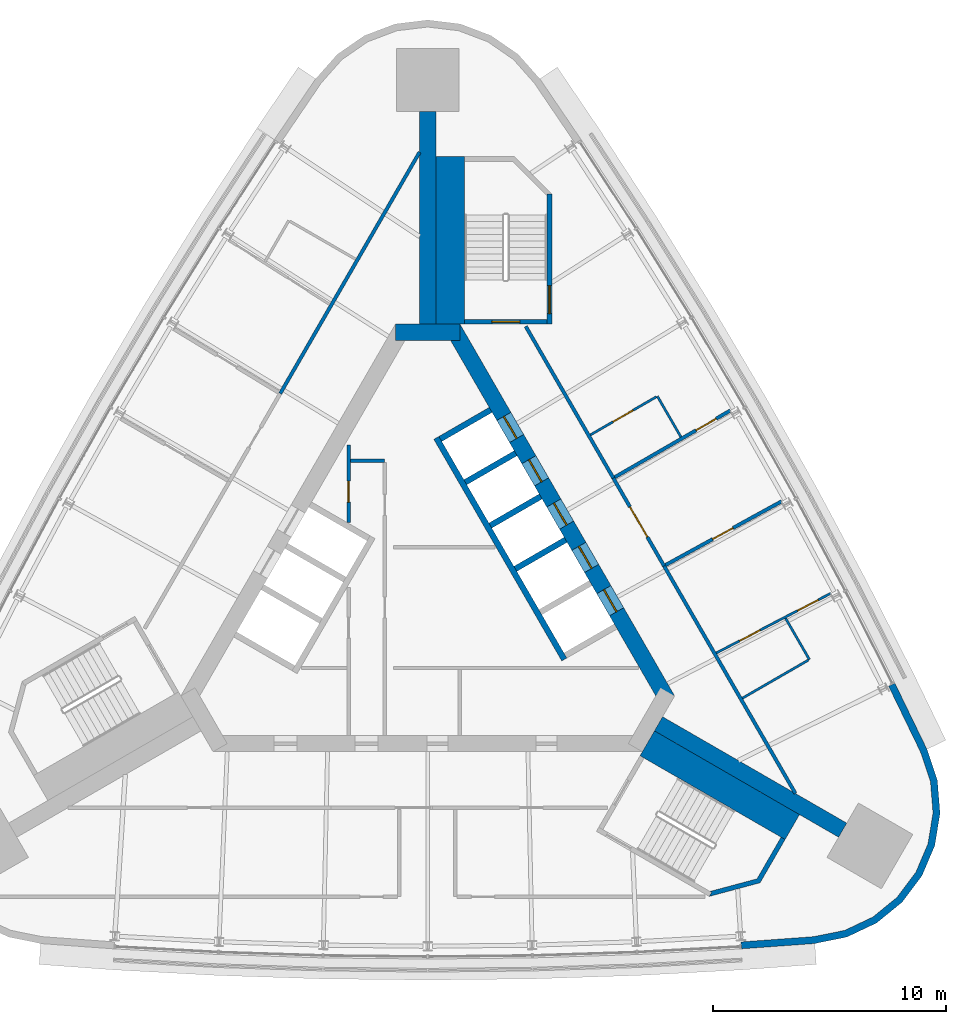
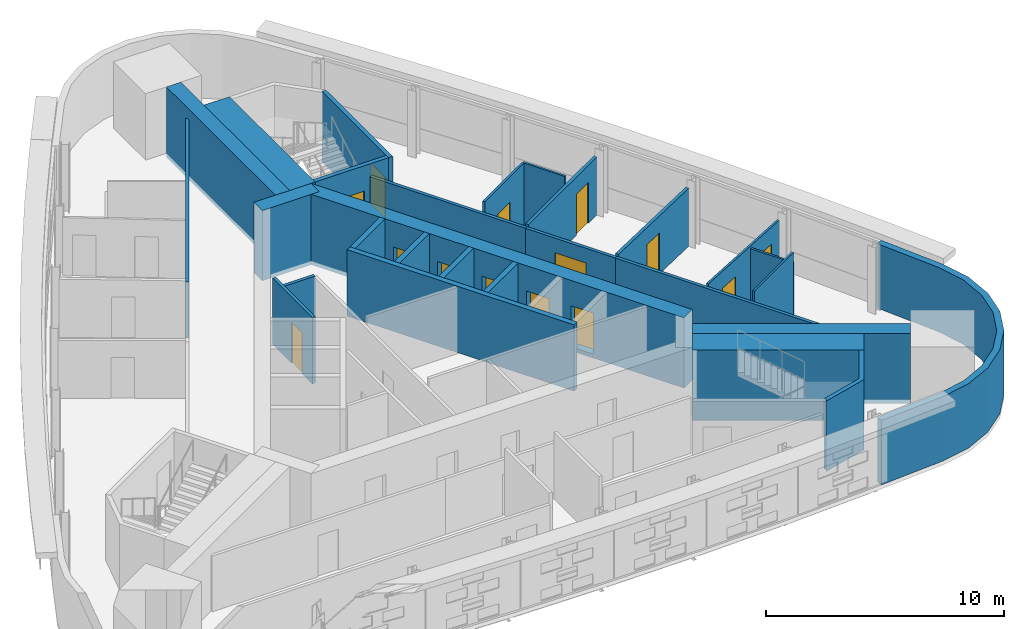
# One storey, part 8 of 10: 28 walls, 14 doors, 14 openings.
"""IFC4 building model written with IfcOpenShell, lengths in metres."""

from ifc_helpers import new_model, si_unit, direction, frame, frame_2d, origin, place, context, subcontext, project, spatial, polyline, rectangle, outline, extrude, material, layer, layer_set, type_object, element, fill, save


model = new_model("IFC4")

# Units and contexts
model_context = context("Model", 3, precision=1e-05, world=origin(), true_north=direction((0.0, 1.0)))
body_context = subcontext(model_context, "Body", "Model", "MODEL_VIEW")
ifc_project = project(units=[si_unit("LENGTHUNIT", "METRE"), si_unit("AREAUNIT", "SQUARE_METRE"), si_unit("VOLUMEUNIT", "CUBIC_METRE"), si_unit("PLANEANGLEUNIT", "RADIAN"), si_unit("MASSUNIT", "GRAM", prefix="KILO")], contexts=[model_context])

# Site, building, storey
site_placement = place(None, origin())
site = spatial("IfcSite", under=ifc_project, at=site_placement, CompositionType="ELEMENT")
building_placement = place(site_placement, origin())
building = spatial("IfcBuilding", under=site, at=building_placement, Name="Noor Cloister Tower", CompositionType="ELEMENT")
storey_placement = place(building_placement, frame((0.0, 0.0, 199.5)))
storey = spatial("IfcBuildingStorey", under=building, at=storey_placement, Name="L51", CompositionType="ELEMENT", Elevation=199.5)

# Walls
ifc_material_1 = material(Name="Concrete C70/85", Category="concrete")
ifc_layer_1 = layer(ifc_material_1, 0.699951171875)
ifc_layer_set_1 = layer_set([ifc_layer_1], Name="Buttress wall 700 C70/85")
wall_type_1 = type_object("IfcWallType", Name="Buttress wall 700 C70/85", PredefinedType="SHEAR", material=ifc_layer_set_1)
wall_1_placement = place(storey_placement, frame((0.0, 11.456298828125, -0.199951171875), z_axis=(0.0, 0.0, 1.0), x_axis=(0.0, 1.0, 0.0)))
element("IfcWall", 1, at=wall_1_placement, inside=storey, type_object=wall_type_1, Name="Buttress wall N L51", PredefinedType="SHEAR", context=body_context, shape_type="SweptSolid", body=[
    extrude(rectangle(XDim=9.144775390625, YDim=0.699951171875, at=frame_2d((4.572265625, 0.0))), origin(), (0.0, 0.0, 1.0), 3.599853515625),
])
wall_2_placement = place(storey_placement, frame((9.921630859375, -5.728271484375, -0.199951171875), z_axis=(0.0, 0.0, 1.0), x_axis=(0.866026421479, -0.499998237297, 0.0)))
element("IfcWall", 2, at=wall_2_placement, inside=storey, type_object=wall_type_1, Name="Buttress wall SE L51", PredefinedType="SHEAR", context=body_context, shape_type="SweptSolid", body=[
    extrude(rectangle(XDim=9.14453125, YDim=0.699951171875, at=frame_2d((4.572265625, 0.0))), origin(), (0.0, 0.0, 1.0), 3.599853515625),
])

# Wall, opening, door
ifc_material_2 = material(Name="Concrete C30/37", Category="concrete")
ifc_layer_2 = layer(ifc_material_2, 0.14990234375)
ifc_layer_set_2 = layer_set([ifc_layer_2], Name="Core partition 150 C30/37")
wall_type_2 = type_object("IfcWallType", Name="Core partition 150 C30/37", PredefinedType="PARTITIONING", material=ifc_layer_set_2)
wall_3_placement = place(storey_placement, frame((-3.40380859375, 6.260986328125, 0.0), z_axis=(0.0, 0.0, 1.0), x_axis=(0.0, -1.0, 0.0)))
wall_3 = element("IfcWall", 3, at=wall_3_placement, inside=storey, type_object=wall_type_2, Name="Core room partition L51 3", PredefinedType="PARTITIONING", context=body_context, shape_type="SweptSolid", body=[
    extrude(rectangle(XDim=3.3271484375, YDim=0.14990234375, at=frame_2d((1.66357421875, 0.0))), origin(), (0.0, 0.0, 1.0), 3.39990234375),
])
opening_1_placement = place(wall_3_placement, frame((1.55712890625, 0.0, 0.0)))
opening_1 = element("IfcOpeningElement", 4, at=opening_1_placement, cuts=wall_3, Name="Opening L51-907", PredefinedType="OPENING", context=body_context, shape_type="SweptSolid", body=[
    extrude(rectangle(XDim=0.89990234375, YDim=2.10009765625, at=frame_2d((0.449951171875, 1.050048828125))), frame((0.0, 0.0849609375, 0.0), z_axis=(0.0, -1.0, 0.0), x_axis=(1.0, 0.0, 0.0)), (0.0, 0.0, 1.0), 0.169921875),
])
ifc_material_3 = material(Name="Steel", Category="steel")
door_type_1 = type_object("IfcDoorType", Name="Core door 900 x 2100 FD120", OperationType="SINGLE_SWING_LEFT", PredefinedType="DOOR", material=ifc_material_3)
door_1_placement = place(opening_1_placement, origin())
door_1 = element("IfcDoor", 5, at=door_1_placement, inside=storey, type_object=door_type_1, Name="Core door 7 L51", OperationType="SINGLE_SWING_LEFT", OverallHeight=2.10009765625, OverallWidth=0.89990234375, PredefinedType="DOOR", context=body_context, shape_type="SweptSolid", body=[
    extrude(rectangle(XDim=0.89990234375, YDim=2.10009765625, at=frame_2d((0.449951171875, 1.050048828125))), frame((0.0, 0.02490234375, 0.0), z_axis=(0.0, -1.0, 0.0), x_axis=(1.0, 0.0, 0.0)), (0.0, 0.0, 1.0), 0.050048828125),
])
fill(opening_1, door_1)

# Wall
wall_4_placement = place(storey_placement, frame((-3.32861328125, 5.57177734375, 0.0), z_axis=(0.0, 0.0, 1.0), x_axis=(1.0, 0.0, 0.0)))
element("IfcWall", 6, at=wall_4_placement, inside=storey, type_object=wall_type_2, Name="Core room partition L51 4", PredefinedType="PARTITIONING", context=body_context, shape_type="SweptSolid", body=[
    extrude(rectangle(XDim=1.474853515625, YDim=0.14990234375, at=frame_2d((0.7373046875, 0.0))), origin(), (0.0, 0.0, 1.0), 3.39990234375),
])

# Wall, openings, doors
ifc_material_4 = material(Name="Concrete C70/85", Category="concrete")
ifc_layer_3 = layer(ifc_material_4, 0.699951171875)
ifc_layer_set_3 = layer_set([ifc_layer_3], Name="Core wall 700 C70/85")
wall_type_3 = type_object("IfcWallType", Name="Core wall 700 C70/85", PredefinedType="SHEAR", material=ifc_layer_set_3)
wall_5_placement = place(storey_placement, frame((10.311279296875, -4.703125, -0.199951171875), z_axis=(0.0, 0.0, 1.0), x_axis=(-0.500001446645, 0.866024568562, 0.0)))
wall_5 = element("IfcWall", 7, at=wall_5_placement, inside=storey, type_object=wall_type_3, Name="Core wall L51 3", PredefinedType="SHEAR", context=body_context, shape_type="SweptSolid", body=[
    extrude(rectangle(XDim=18.45751953125, YDim=0.699951171875, at=frame_2d((9.228759765625, 0.0))), origin(), (0.0, 0.0, 1.0), 3.599853515625),
])
opening_2_placement = place(wall_5_placement, frame((4.378662109375, 0.0, 0.199951171875)))
opening_2 = element("IfcOpeningElement", 8, at=opening_2_placement, cuts=wall_5, Name="Opening L51-HR1", PredefinedType="OPENING", context=body_context, shape_type="SweptSolid", body=[
    extrude(rectangle(XDim=1.10009765625, YDim=2.10009765625, at=frame_2d((0.550048828125, 1.050048828125))), frame((0.0, 0.35986328125, 0.0), z_axis=(0.0, -1.0, 0.0), x_axis=(1.0, 0.0, 0.0)), (0.0, 0.0, 1.0), 0.719970703125),
])
opening_3_placement = place(wall_5_placement, frame((6.52880859375, 0.0, 0.199951171875)))
opening_3 = element("IfcOpeningElement", 9, at=opening_3_placement, cuts=wall_5, Name="Opening L51-HR2", PredefinedType="OPENING", context=body_context, shape_type="SweptSolid", body=[
    extrude(rectangle(XDim=1.10009765625, YDim=2.10009765625, at=frame_2d((0.550048828125, 1.050048828125))), frame((0.0, 0.35986328125, 0.0), z_axis=(0.0, -1.0, 0.0), x_axis=(1.0, 0.0, 0.0)), (0.0, 0.0, 1.0), 0.719970703125),
])
opening_4_placement = place(wall_5_placement, frame((8.6787109375, 0.0, 0.199951171875)))
opening_4 = element("IfcOpeningElement", 10, at=opening_4_placement, cuts=wall_5, Name="Opening L51-HR3", PredefinedType="OPENING", context=body_context, shape_type="SweptSolid", body=[
    extrude(rectangle(XDim=1.10009765625, YDim=2.10009765625, at=frame_2d((0.550048828125, 1.050048828125))), frame((0.0, 0.35986328125, 0.0), z_axis=(0.0, -1.0, 0.0), x_axis=(1.0, 0.0, 0.0)), (0.0, 0.0, 1.0), 0.719970703125),
])
opening_5_placement = place(wall_5_placement, frame((10.82861328125, 0.0, 0.199951171875)))
opening_5 = element("IfcOpeningElement", 11, at=opening_5_placement, cuts=wall_5, Name="Opening L51-HR4", PredefinedType="OPENING", context=body_context, shape_type="SweptSolid", body=[
    extrude(rectangle(XDim=1.10009765625, YDim=2.10009765625, at=frame_2d((0.550048828125, 1.050048828125))), frame((0.0, 0.35986328125, 0.0), z_axis=(0.0, -1.0, 0.0), x_axis=(1.0, 0.0, 0.0)), (0.0, 0.0, 1.0), 0.719970703125),
])
opening_6_placement = place(wall_5_placement, frame((12.978759765625, 0.0, 0.199951171875)))
opening_6 = element("IfcOpeningElement", 12, at=opening_6_placement, cuts=wall_5, Name="Opening L51-HR5", PredefinedType="OPENING", context=body_context, shape_type="SweptSolid", body=[
    extrude(rectangle(XDim=1.10009765625, YDim=2.10009765625, at=frame_2d((0.550048828125, 1.050048828125))), frame((0.0, 0.35986328125, 0.0), z_axis=(0.0, -1.0, 0.0), x_axis=(1.0, 0.0, 0.0)), (0.0, 0.0, 1.0), 0.719970703125),
])
ifc_material_5 = material(Name="Stainless steel", Category="steel")
door_type_2 = type_object("IfcDoorType", Name="Lift landing door 1100 x 2100", OperationType="DOUBLE_DOOR_SLIDING", PredefinedType="DOOR", material=ifc_material_5)
door_2_placement = place(opening_2_placement, origin())
door_2 = element("IfcDoor", 13, at=door_2_placement, inside=storey, type_object=door_type_2, Name="Landing door HR1 L51", OperationType="DOUBLE_DOOR_SLIDING", OverallHeight=2.10009765625, OverallWidth=1.10009765625, PredefinedType="DOOR", context=body_context, shape_type="SweptSolid", body=[
    extrude(rectangle(XDim=1.10009765625, YDim=2.10009765625, at=frame_2d((0.550048828125, 1.050048828125))), frame((0.0, 0.02490234375, 0.0), z_axis=(0.0, -1.0, 0.0), x_axis=(1.0, 0.0, 0.0)), (0.0, 0.0, 1.0), 0.050048828125),
])
fill(opening_2, door_2)
door_3_placement = place(opening_3_placement, origin())
door_3 = element("IfcDoor", 14, at=door_3_placement, inside=storey, type_object=door_type_2, Name="Landing door HR2 L51", OperationType="DOUBLE_DOOR_SLIDING", OverallHeight=2.10009765625, OverallWidth=1.10009765625, PredefinedType="DOOR", context=body_context, shape_type="SweptSolid", body=[
    extrude(rectangle(XDim=1.10009765625, YDim=2.10009765625, at=frame_2d((0.550048828125, 1.050048828125))), frame((0.0, 0.02490234375, 0.0), z_axis=(0.0, -1.0, 0.0), x_axis=(1.0, 0.0, 0.0)), (0.0, 0.0, 1.0), 0.050048828125),
])
fill(opening_3, door_3)
door_4_placement = place(opening_4_placement, origin())
door_4 = element("IfcDoor", 15, at=door_4_placement, inside=storey, type_object=door_type_2, Name="Landing door HR3 L51", OperationType="DOUBLE_DOOR_SLIDING", OverallHeight=2.10009765625, OverallWidth=1.10009765625, PredefinedType="DOOR", context=body_context, shape_type="SweptSolid", body=[
    extrude(rectangle(XDim=1.10009765625, YDim=2.10009765625, at=frame_2d((0.550048828125, 1.050048828125))), frame((0.0, 0.02490234375, 0.0), z_axis=(0.0, -1.0, 0.0), x_axis=(1.0, 0.0, 0.0)), (0.0, 0.0, 1.0), 0.050048828125),
])
fill(opening_4, door_4)
door_5_placement = place(opening_5_placement, origin())
door_5 = element("IfcDoor", 16, at=door_5_placement, inside=storey, type_object=door_type_2, Name="Landing door HR4 L51", OperationType="DOUBLE_DOOR_SLIDING", OverallHeight=2.10009765625, OverallWidth=1.10009765625, PredefinedType="DOOR", context=body_context, shape_type="SweptSolid", body=[
    extrude(rectangle(XDim=1.10009765625, YDim=2.10009765625, at=frame_2d((0.550048828125, 1.050048828125))), frame((0.0, 0.02490234375, 0.0), z_axis=(0.0, -1.0, 0.0), x_axis=(1.0, 0.0, 0.0)), (0.0, 0.0, 1.0), 0.050048828125),
])
fill(opening_5, door_5)
door_6_placement = place(opening_6_placement, origin())
door_6 = element("IfcDoor", 17, at=door_6_placement, inside=storey, type_object=door_type_2, Name="Landing door HR5 L51", OperationType="DOUBLE_DOOR_SLIDING", OverallHeight=2.10009765625, OverallWidth=1.10009765625, PredefinedType="DOOR", context=body_context, shape_type="SweptSolid", body=[
    extrude(rectangle(XDim=1.10009765625, YDim=2.10009765625, at=frame_2d((0.550048828125, 1.050048828125))), frame((0.0, 0.02490234375, 0.0), z_axis=(0.0, -1.0, 0.0), x_axis=(1.0, 0.0, 0.0)), (0.0, 0.0, 1.0), 0.050048828125),
])
fill(opening_6, door_6)

# Walls
wall_6_placement = place(storey_placement, frame((1.3857421875, 11.1064453125, -0.199951171875), z_axis=(0.0, 0.0, 1.0), x_axis=(-1.0, 0.0, 0.0)))
element("IfcWall", 18, at=wall_6_placement, inside=storey, type_object=wall_type_3, Name="Core wall L51 4", PredefinedType="SHEAR", context=body_context, shape_type="SweptSolid", body=[
    extrude(rectangle(XDim=2.771484375, YDim=0.699951171875, at=frame_2d((1.3857421875, 0.0))), origin(), (0.0, 0.0, 1.0), 3.599853515625),
])
ifc_material_6 = material(Name="Fire-rated gypsum board partition on steel studs, 150 mm", Category="steel")
ifc_layer_4 = layer(ifc_material_6, 0.14990234375)
ifc_layer_set_4 = layer_set([ifc_layer_4], Name="Fire lobby wall 150")
wall_type_4 = type_object("IfcWallType", Name="Fire lobby wall 150", PredefinedType="PARTITIONING", material=ifc_layer_set_4)
wall_7_placement = place(storey_placement, frame((-0.35009765625, 18.85009765625, 0.0), z_axis=(0.0, 0.0, 1.0), x_axis=(-0.500000553364, -0.866025084299, 0.0)))
element("IfcWall", 19, at=wall_7_placement, inside=storey, type_object=wall_type_4, Name="Wall L51-W18", PredefinedType="PARTITIONING", context=body_context, shape_type="SweptSolid", body=[
    extrude(rectangle(XDim=11.9814453125, YDim=0.14990234375, at=frame_2d((5.99072265625, 0.0))), origin(), (0.0, 0.0, 1.0), 2.85205078125),
])
ifc_material_7 = material(Name="Gypsum board partition on steel studs, 150 mm", Category="steel")
ifc_layer_5 = layer(ifc_material_7, 0.14990234375)
ifc_layer_set_5 = layer_set([ifc_layer_5], Name="Flat wall 150")
wall_type_5 = type_object("IfcWallType", Name="Flat wall 150", PredefinedType="PARTITIONING", material=ifc_layer_set_5)
wall_8_placement = place(storey_placement, frame((15.806884765625, -8.721923828125, 0.0), z_axis=(0.0, 0.0, 1.0), x_axis=(-0.500004300164, 0.866022921069, 0.0)))
element("IfcWall", 20, at=wall_8_placement, inside=storey, type_object=wall_type_5, Name="Wall L51-W01", PredefinedType="PARTITIONING", context=body_context, shape_type="SweptSolid", body=[
    extrude(rectangle(XDim=11.29736328125, YDim=0.14990234375, at=frame_2d((5.648681640625, 0.0))), origin(), (0.0, 0.0, 1.0), 2.85205078125),
])
wall_9_placement = place(storey_placement, frame((7.978515625, 4.83740234375, 0.0), z_axis=(0.0, 0.0, 1.0), x_axis=(-0.500014427086, 0.866017074142, 0.0)))
element("IfcWall", 21, at=wall_9_placement, inside=storey, type_object=wall_type_5, Name="Wall L51-W02", PredefinedType="PARTITIONING", context=body_context, shape_type="SweptSolid", body=[
    extrude(rectangle(XDim=7.527587890625, YDim=0.14990234375, at=frame_2d((3.763671875, 0.0))), origin(), (0.0, 0.0, 1.0), 2.85205078125),
])

# Wall, opening, door
wall_10_placement = place(storey_placement, frame((15.215576171875, 3.83740234375, 0.0), z_axis=(0.0, 0.0, 1.0), x_axis=(-0.876645576733, -0.48113670905, 0.0)))
wall_10 = element("IfcWall", 22, at=wall_10_placement, inside=storey, type_object=wall_type_5, Name="Wall L51-W03", PredefinedType="PARTITIONING", context=body_context, shape_type="SweptSolid", body=[
    extrude(rectangle(XDim=5.69384765625, YDim=0.14990234375, at=frame_2d((2.846923828125, 0.0))), origin(), (0.0, 0.0, 1.0), 2.97412109375),
])
opening_7_placement = place(wall_10_placement, frame((2.384521484375, 0.0, 0.0)))
opening_7 = element("IfcOpeningElement", 23, at=opening_7_placement, cuts=wall_10, Name="Opening L51-004", PredefinedType="OPENING", context=body_context, shape_type="SweptSolid", body=[
    extrude(rectangle(XDim=1.0, YDim=2.10009765625, at=frame_2d((0.5, 1.050048828125))), frame((0.0, 0.0849609375, 0.0), z_axis=(0.0, -1.0, 0.0), x_axis=(1.0, 0.0, 0.0)), (0.0, 0.0, 1.0), 0.169921875),
])
ifc_material_8 = material(Name="Timber door leaf with steel frame", Category="steel")
door_type_3 = type_object("IfcDoorType", Name="Flat entrance door 1000", OperationType="NOTDEFINED", PredefinedType="DOOR", material=ifc_material_8)
door_7_placement = place(opening_7_placement, origin())
door_7 = element("IfcDoor", 24, at=door_7_placement, inside=storey, type_object=door_type_3, Name="Door L51-004", OperationType="SINGLE_SWING_RIGHT", OverallHeight=2.10009765625, OverallWidth=1.0, PredefinedType="DOOR", context=body_context, shape_type="SweptSolid", body=[
    extrude(rectangle(XDim=1.0, YDim=2.10009765625, at=frame_2d((0.5, 1.050048828125))), frame((0.0, 0.02490234375, 0.0), z_axis=(0.0, -1.0, 0.0), x_axis=(1.0, 0.0, 0.0)), (0.0, 0.0, 1.0), 0.050048828125),
])
fill(opening_7, door_7)

wall_11_placement = place(storey_placement, frame((13.01171875, 7.7431640625, 0.0), z_axis=(0.0, 0.0, 1.0), x_axis=(-0.866026840724, -0.499997511139, 0.0)))
wall_11 = element("IfcWall", 25, at=wall_11_placement, inside=storey, type_object=wall_type_5, Name="Wall L51-W04", PredefinedType="PARTITIONING", context=body_context, shape_type="SweptSolid", body=[
    extrude(rectangle(XDim=5.73681640625, YDim=0.14990234375, at=frame_2d((2.868408203125, 0.0))), origin(), (0.0, 0.0, 1.0), 2.97412109375),
])
opening_8_placement = place(wall_11_placement, frame((0.705810546875, 0.0, 0.0)))
opening_8 = element("IfcOpeningElement", 26, at=opening_8_placement, cuts=wall_11, Name="Opening L51-006", PredefinedType="OPENING", context=body_context, shape_type="SweptSolid", body=[
    extrude(rectangle(XDim=1.0, YDim=2.10009765625, at=frame_2d((0.5, 1.050048828125))), frame((0.0, 0.0849609375, 0.0), z_axis=(0.0, -1.0, 0.0), x_axis=(1.0, 0.0, 0.0)), (0.0, 0.0, 1.0), 0.169921875),
])
door_8_placement = place(opening_8_placement, origin())
door_8 = element("IfcDoor", 27, at=door_8_placement, inside=storey, type_object=door_type_3, Name="Door L51-006", OperationType="SINGLE_SWING_RIGHT", OverallHeight=2.10009765625, OverallWidth=1.0, PredefinedType="DOOR", context=body_context, shape_type="SweptSolid", body=[
    extrude(rectangle(XDim=1.0, YDim=2.10009765625, at=frame_2d((0.5, 1.050048828125))), frame((0.0, 0.02490234375, 0.0), z_axis=(0.0, -1.0, 0.0), x_axis=(1.0, 0.0, 0.0)), (0.0, 0.0, 1.0), 0.050048828125),
])
fill(opening_8, door_8)

wall_12_placement = place(storey_placement, frame((10.158203125, 1.061767578125, 0.0), z_axis=(0.0, 0.0, 1.0), x_axis=(-0.499969679245, 0.866042908773, 0.0)))
wall_12 = element("IfcWall", 28, at=wall_12_placement, inside=storey, type_object=wall_type_5, Name="Wall L51-W05", PredefinedType="PARTITIONING", context=body_context, shape_type="SweptSolid", body=[
    extrude(rectangle(XDim=4.359619140625, YDim=0.14990234375, at=frame_2d((2.1796875, 0.0))), origin(), (0.0, 0.0, 1.0), 2.85205078125),
])
opening_9_placement = place(wall_12_placement, frame((1.429931640625, 0.0, 0.0)))
opening_9 = element("IfcOpeningElement", 29, at=opening_9_placement, cuts=wall_12, Name="Opening L51-001", PredefinedType="OPENING", context=body_context, shape_type="SweptSolid", body=[
    extrude(rectangle(XDim=1.5, YDim=2.10009765625, at=frame_2d((0.75, 1.050048828125))), frame((0.0, 0.0849609375, 0.0), z_axis=(0.0, -1.0, 0.0), x_axis=(1.0, 0.0, 0.0)), (0.0, 0.0, 1.0), 0.169921875),
])
ifc_material_9 = material(Name="Timber door leaf with steel frame", Category="steel")
door_type_4 = type_object("IfcDoorType", Name="Double door 1500 FD60", OperationType="NOTDEFINED", PredefinedType="DOOR", material=ifc_material_9)
door_9_placement = place(opening_9_placement, origin())
door_9 = element("IfcDoor", 30, at=door_9_placement, inside=storey, type_object=door_type_4, Name="Door L51-001", OperationType="DOUBLE_DOOR_SINGLE_SWING", OverallHeight=2.10009765625, OverallWidth=1.5, PredefinedType="DOOR", context=body_context, shape_type="SweptSolid", body=[
    extrude(rectangle(XDim=1.5, YDim=2.10009765625, at=frame_2d((0.75, 1.050048828125))), frame((0.0, 0.02490234375, 0.0), z_axis=(0.0, -1.0, 0.0), x_axis=(1.0, 0.0, 0.0)), (0.0, 0.0, 1.0), 0.050048828125),
])
fill(opening_9, door_9)

# Wall
ifc_material_10 = material(Name="Limestone", Category="masonry")
ifc_layer_6 = layer(ifc_material_10, 0.300048828125)
ifc_layer_set_6 = layer_set([ifc_layer_6], Name="Limestone cladding 300")
wall_type_6 = type_object("IfcWallType", Name="Limestone cladding 300", PredefinedType="NOTDEFINED", material=ifc_layer_set_6)
wall_13_placement = place(storey_placement, origin())
element("IfcWall", 31, at=wall_13_placement, inside=storey, type_object=wall_type_6, Name="Limestone pier cladding L51 2.1", PredefinedType="NOTDEFINED", context=body_context, shape_type="SweptSolid", body=[
    extrude(outline(polyline([(13.490478515625, -15.404052734375), (16.640869140625, -15.17529296875), (18.025146484375, -14.893310546875), (19.301513671875, -14.2880859375), (20.39599609375, -13.394775390625), (21.24462890625, -12.265625), (21.798095703125, -10.966064453125), (22.024658203125, -9.571533203125), (21.910400390625, -8.16357421875), (21.462646484375, -6.823974609375), (20.085693359375, -3.98095703125), (19.815673828125, -4.11181640625), (21.184326171875, -6.937255859375), (21.614501953125, -8.22412109375), (21.72265625, -9.5595703125), (21.5078125, -10.8818359375), (20.98291015625, -12.114501953125), (20.177978515625, -13.185546875), (19.14013671875, -14.032470703125), (17.929443359375, -14.6064453125), (16.60009765625, -14.87744140625), (13.46875, -15.10498046875), (13.490478515625, -15.404052734375)])), origin(), (0.0, 0.0, 1.0), 3.300048828125),
])

# Wall, openings, doors
ifc_material_11 = material(Name="Gypsum board partition on steel studs, 100 mm", Category="steel")
ifc_layer_7 = layer(ifc_material_11, 0.10009765625)
ifc_layer_set_7 = layer_set([ifc_layer_7], Name="Partition 100")
wall_type_7 = type_object("IfcWallType", Name="Partition 100", PredefinedType="PARTITIONING", material=ifc_layer_set_7)
wall_14_placement = place(storey_placement, frame((17.33447265625, -0.115234375, 0.0), z_axis=(0.0, 0.0, 1.0), x_axis=(-0.886851071155, -0.462055383684, 0.0)))
wall_14 = element("IfcWall", 32, at=wall_14_placement, inside=storey, type_object=wall_type_7, Name="Wall L51-W06", PredefinedType="PARTITIONING", context=body_context, shape_type="SweptSolid", body=[
    extrude(rectangle(XDim=5.556396484375, YDim=0.10009765625, at=frame_2d((2.7783203125, 0.0))), origin(), (0.0, 0.0, 1.0), 2.97412109375),
])
opening_10_placement = place(wall_14_placement, frame((0.6142578125, 0.0, 0.0)))
opening_10 = element("IfcOpeningElement", 33, at=opening_10_placement, cuts=wall_14, Name="Opening L51-002", PredefinedType="OPENING", context=body_context, shape_type="SweptSolid", body=[
    extrude(rectangle(XDim=1.0, YDim=2.10009765625, at=frame_2d((0.5, 1.050048828125))), frame((0.0, 0.06005859375, 0.0), z_axis=(0.0, -1.0, 0.0), x_axis=(1.0, 0.0, 0.0)), (0.0, 0.0, 1.0), 0.1201171875),
])
opening_11_placement = place(wall_14_placement, frame((3.429931640625, 0.0, 0.0)))
opening_11 = element("IfcOpeningElement", 34, at=opening_11_placement, cuts=wall_14, Name="Opening L51-003", PredefinedType="OPENING", context=body_context, shape_type="SweptSolid", body=[
    extrude(rectangle(XDim=1.0, YDim=2.10009765625, at=frame_2d((0.5, 1.050048828125))), frame((0.0, 0.06005859375, 0.0), z_axis=(0.0, -1.0, 0.0), x_axis=(1.0, 0.0, 0.0)), (0.0, 0.0, 1.0), 0.1201171875),
])
ifc_material_12 = material(Name="Timber door leaf with steel frame", Category="steel")
door_type_5 = type_object("IfcDoorType", Name="Interior door 1000", OperationType="NOTDEFINED", PredefinedType="DOOR", material=ifc_material_12)
door_10_placement = place(opening_10_placement, origin())
door_10 = element("IfcDoor", 35, at=door_10_placement, inside=storey, type_object=door_type_5, Name="Door L51-002", OperationType="SINGLE_SWING_RIGHT", OverallHeight=2.10009765625, OverallWidth=1.0, PredefinedType="DOOR", context=body_context, shape_type="SweptSolid", body=[
    extrude(rectangle(XDim=1.0, YDim=2.10009765625, at=frame_2d((0.5, 1.050048828125))), frame((0.0, 0.02490234375, 0.0), z_axis=(0.0, -1.0, 0.0), x_axis=(1.0, 0.0, 0.0)), (0.0, 0.0, 1.0), 0.050048828125),
])
fill(opening_10, door_10)
door_11_placement = place(opening_11_placement, origin())
door_11 = element("IfcDoor", 36, at=door_11_placement, inside=storey, type_object=door_type_5, Name="Door L51-003", OperationType="SINGLE_SWING_LEFT", OverallHeight=2.10009765625, OverallWidth=1.0, PredefinedType="DOOR", context=body_context, shape_type="SweptSolid", body=[
    extrude(rectangle(XDim=1.0, YDim=2.10009765625, at=frame_2d((0.5, 1.050048828125))), frame((0.0, 0.02490234375, 0.0), z_axis=(0.0, -1.0, 0.0), x_axis=(1.0, 0.0, 0.0)), (0.0, 0.0, 1.0), 0.050048828125),
])
fill(opening_11, door_11)

# Walls
wall_15_placement = place(storey_placement, frame((15.38330078125, -1.188232421875, 0.0), z_axis=(0.0, 0.0, 1.0), x_axis=(0.500007699544, -0.866020958405, 0.0)))
element("IfcWall", 37, at=wall_15_placement, inside=storey, type_object=wall_type_7, Name="Wall L51-W07", PredefinedType="PARTITIONING", context=body_context, shape_type="SweptSolid", body=[
    extrude(rectangle(XDim=2.0498046875, YDim=0.10009765625, at=frame_2d((1.02490234375, 0.0))), origin(), (0.0, 0.0, 1.0), 2.85205078125),
])
wall_16_placement = place(storey_placement, frame((16.364990234375, -2.988525390625, 0.0), z_axis=(0.0, 0.0, 1.0), x_axis=(-0.866027924134, -0.499995634601, 0.0)))
element("IfcWall", 38, at=wall_16_placement, inside=storey, type_object=wall_type_7, Name="Wall L51-W08", PredefinedType="PARTITIONING", context=body_context, shape_type="SweptSolid", body=[
    extrude(rectangle(XDim=3.27490234375, YDim=0.10009765625, at=frame_2d((1.637451171875, 0.0))), origin(), (0.0, 0.0, 1.0), 3.39990234375),
])
wall_17_placement = place(storey_placement, frame((10.885498046875, 6.602294921875, 0.0), z_axis=(0.0, 0.0, 1.0), x_axis=(-0.499990325971, 0.866030989016, 0.0)))
element("IfcWall", 39, at=wall_17_placement, inside=storey, type_object=wall_type_7, Name="Wall L51-W09", PredefinedType="PARTITIONING", context=body_context, shape_type="SweptSolid", body=[
    extrude(rectangle(XDim=2.02490234375, YDim=0.10009765625, at=frame_2d((1.012451171875, 0.0))), origin(), (0.0, 0.0, 1.0), 3.39990234375),
])

# Wall, opening, door
wall_18_placement = place(storey_placement, frame((9.82958984375, 8.3310546875, 0.0), z_axis=(0.0, 0.0, 1.0), x_axis=(-0.865995643347, -0.500051543047, 0.0)))
wall_18 = element("IfcWall", 40, at=wall_18_placement, inside=storey, type_object=wall_type_7, Name="Wall L51-W10", PredefinedType="PARTITIONING", context=body_context, shape_type="SweptSolid", body=[
    extrude(rectangle(XDim=3.275146484375, YDim=0.10009765625, at=frame_2d((1.6376953125, 0.0))), origin(), (0.0, 0.0, 1.0), 3.39990234375),
])
opening_12_placement = place(wall_18_placement, frame((1.14990234375, 0.0, 0.0)))
opening_12 = element("IfcOpeningElement", 41, at=opening_12_placement, cuts=wall_18, Name="Opening L51-005", PredefinedType="OPENING", context=body_context, shape_type="SweptSolid", body=[
    extrude(rectangle(XDim=1.0, YDim=2.10009765625, at=frame_2d((0.5, 1.050048828125))), frame((0.0, 0.06005859375, 0.0), z_axis=(0.0, -1.0, 0.0), x_axis=(1.0, 0.0, 0.0)), (0.0, 0.0, 1.0), 0.1201171875),
])
door_12_placement = place(opening_12_placement, origin())
door_12 = element("IfcDoor", 42, at=door_12_placement, inside=storey, type_object=door_type_5, Name="Door L51-005", OperationType="SINGLE_SWING_LEFT", OverallHeight=2.10009765625, OverallWidth=1.0, PredefinedType="DOOR", context=body_context, shape_type="SweptSolid", body=[
    extrude(rectangle(XDim=1.0, YDim=2.10009765625, at=frame_2d((0.5, 1.050048828125))), frame((0.0, 0.02490234375, 0.0), z_axis=(0.0, -1.0, 0.0), x_axis=(1.0, 0.0, 0.0)), (0.0, 0.0, 1.0), 0.050048828125),
])
fill(opening_12, door_12)

# Walls
ifc_material_13 = material(Name="Concrete C70/85", Category="concrete")
ifc_layer_8 = layer(ifc_material_13, 0.25)
ifc_layer_set_8 = layer_set([ifc_layer_8], Name="Shaft wall 250 C70/85")
wall_type_8 = type_object("IfcWallType", Name="Shaft wall 250 C70/85", PredefinedType="PARTITIONING", material=ifc_layer_set_8)
wall_19_placement = place(storey_placement, frame((5.931396484375, 2.18310546875, -0.199951171875), z_axis=(0.0, 0.0, 1.0), x_axis=(-0.866047370643, -0.499961950354, 0.0)))
element("IfcWall", 43, at=wall_19_placement, inside=storey, type_object=wall_type_8, Name="Lift shaft wall L51 NE 3", PredefinedType="PARTITIONING", context=body_context, shape_type="SweptSolid", body=[
    extrude(rectangle(XDim=2.500244140625, YDim=0.25, at=frame_2d((1.25, 0.0))), origin(), (0.0, 0.0, 1.0), 3.599853515625),
])
for number, where, z_axis, x_axis, name in (
    (44, (4.856201171875, 4.045166015625, -0.199951171875), (0.0, 0.0, 1.0), (-0.866022959057, -0.500004234368, 0.0), "Lift shaft wall L51 NE 4"),
    (45, (3.78125, 5.906982421875, -0.199951171875), (0.0, 0.0, 1.0), (-0.866022959057, -0.500004234368, 0.0), "Lift shaft wall L51 NE 5"),
    (46, (2.706298828125, 7.76904296875, -0.199951171875), (0.0, 0.0, 1.0), (-0.866022959057, -0.500004234368, 0.0), "Lift shaft wall L51 NE 6"),
):
    element("IfcWall", number, at=place(storey_placement, frame(where, z_axis=z_axis, x_axis=x_axis)), inside=storey, type_object=wall_type_8, Name=name, PredefinedType="PARTITIONING", context=body_context, shape_type="SweptSolid", body=[
        extrude(rectangle(XDim=2.5, YDim=0.25, at=frame_2d((1.25, 0.0))), origin(), (0.0, 0.0, 1.0), 3.599853515625),
    ])
wall_20_placement = place(storey_placement, frame((5.870361328125, -2.96142578125, 0.0), z_axis=(0.0, 0.0, 1.0), x_axis=(-0.50000615651, 0.866021849293, 0.0)))
element("IfcWall", 47, at=wall_20_placement, inside=storey, type_object=wall_type_8, Name="Lift shaft back wall L51 NE", PredefinedType="PARTITIONING", context=body_context, shape_type="SweptSolid", body=[
    extrude(rectangle(XDim=10.999755859375, YDim=0.25, at=frame_2d((5.5, 0.0))), origin(), (0.0, 0.0, 1.0), 3.39990234375),
])
ifc_material_14 = material(Name="Concrete C70/85", Category="concrete")
ifc_layer_9 = layer(ifc_material_14, 1.236083984375)
ifc_layer_set_9 = layer_set([ifc_layer_9], Name="Stair enclosure wall 1236 C70/85")
wall_type_9 = type_object("IfcWallType", Name="Stair enclosure wall 1236 C70/85", PredefinedType="SHEAR", material=ifc_layer_set_9)
for number, where, z_axis, x_axis, name in (
    (48, (0.9677734375, 11.456298828125, -0.199951171875), (0.0, 0.0, 1.0), (0.0, 1.0, 0.0), "Stair enclosure wall ST1 L51 riser side"),
    (49, (9.4375, -6.56640625, -0.199951171875), (0.0, 0.0, 1.0), (0.866026919366, -0.499997374926, 0.0), "Stair enclosure wall ST3 L51 riser side"),
):
    element("IfcWall", number, at=place(storey_placement, frame(where, z_axis=z_axis, x_axis=x_axis)), inside=storey, type_object=wall_type_9, Name=name, PredefinedType="SHEAR", context=body_context, shape_type="SweptSolid", body=[
        extrude(rectangle(XDim=7.2001953125, YDim=1.235595703125, at=frame_2d((3.60009765625, 0.0))), origin(), (0.0, 0.0, 1.0), 3.599853515625),
    ])

# Wall, opening, door
ifc_material_15 = material(Name="Concrete C70/85", Category="concrete")
ifc_layer_10 = layer(ifc_material_15, 0.199951171875)
ifc_layer_set_10 = layer_set([ifc_layer_10], Name="Stair enclosure wall 200 C70/85")
wall_type_10 = type_object("IfcWallType", Name="Stair enclosure wall 200 C70/85", PredefinedType="SHEAR", material=ifc_layer_set_10)
wall_21_placement = place(storey_placement, frame((5.135498046875, 11.556396484375, -0.199951171875), z_axis=(0.0, 0.0, 1.0), x_axis=(-1.0, 0.0, 0.0)))
wall_21 = element("IfcWall", 50, at=wall_21_placement, inside=storey, type_object=wall_type_10, Name="Stair enclosure wall ST1 L51 near end", PredefinedType="SHEAR", context=body_context, shape_type="SweptSolid", body=[
    extrude(rectangle(XDim=3.5498046875, YDim=0.199951171875, at=frame_2d((1.77490234375, 0.0))), origin(), (0.0, 0.0, 1.0), 3.599853515625),
])
opening_13_placement = place(wall_21_placement, frame((1.175048828125, 0.0, 0.199951171875)))
opening_13 = element("IfcOpeningElement", 51, at=opening_13_placement, cuts=wall_21, Name="Opening L51-ST1L", PredefinedType="OPENING", context=body_context, shape_type="SweptSolid", body=[
    extrude(rectangle(XDim=1.199951171875, YDim=2.10009765625, at=frame_2d((0.60009765625, 1.050048828125))), frame((0.0, 0.10986328125, 0.0), z_axis=(0.0, -1.0, 0.0), x_axis=(1.0, 0.0, 0.0)), (0.0, 0.0, 1.0), 0.219970703125),
])
ifc_material_16 = material(Name="Steel", Category="steel")
door_type_6 = type_object("IfcDoorType", Name="Stair door 1200 x 2100 FD120", OperationType="SINGLE_SWING_LEFT", PredefinedType="DOOR", material=ifc_material_16)
door_13_placement = place(opening_13_placement, origin())
door_13 = element("IfcDoor", 52, at=door_13_placement, inside=storey, type_object=door_type_6, Name="Stair door ST1 L51", OperationType="SINGLE_SWING_RIGHT", OverallHeight=2.10009765625, OverallWidth=1.199951171875, PredefinedType="DOOR", context=body_context, shape_type="SweptSolid", body=[
    extrude(rectangle(XDim=1.199951171875, YDim=2.10009765625, at=frame_2d((0.60009765625, 1.050048828125))), frame((0.0, 0.02490234375, 0.0), z_axis=(0.0, -1.0, 0.0), x_axis=(1.0, 0.0, 0.0)), (0.0, 0.0, 1.0), 0.050048828125),
])
fill(opening_13, door_13)

wall_22_placement = place(storey_placement, frame((5.235595703125, 11.456298828125, -0.199951171875), z_axis=(0.0, 0.0, 1.0), x_axis=(0.0, 1.0, 0.0)))
wall_22 = element("IfcWall", 53, at=wall_22_placement, inside=storey, type_object=wall_type_10, Name="Stair enclosure wall ST1 L51 outer side", PredefinedType="SHEAR", context=body_context, shape_type="SweptSolid", body=[
    extrude(rectangle(XDim=5.60009765625, YDim=0.199951171875, at=frame_2d((2.800048828125, 0.0))), origin(), (0.0, 0.0, 1.0), 3.599853515625),
])
opening_14_placement = place(wall_22_placement, frame((0.449951171875, 0.0, 0.199951171875)))
opening_14 = element("IfcOpeningElement", 54, at=opening_14_placement, cuts=wall_22, Name="Opening L51-ST1C", PredefinedType="OPENING", context=body_context, shape_type="SweptSolid", body=[
    extrude(rectangle(XDim=1.199951171875, YDim=2.10009765625, at=frame_2d((0.60009765625, 1.050048828125))), frame((0.0, 0.10986328125, 0.0), z_axis=(0.0, -1.0, 0.0), x_axis=(1.0, 0.0, 0.0)), (0.0, 0.0, 1.0), 0.219970703125),
])
door_14_placement = place(opening_14_placement, origin())
door_14 = element("IfcDoor", 55, at=door_14_placement, inside=storey, type_object=door_type_6, Name="Stair door ST1 L51", OperationType="SINGLE_SWING_LEFT", OverallHeight=2.10009765625, OverallWidth=1.199951171875, PredefinedType="DOOR", context=body_context, shape_type="SweptSolid", body=[
    extrude(rectangle(XDim=1.199951171875, YDim=2.10009765625, at=frame_2d((0.60009765625, 1.050048828125))), frame((0.0, 0.02490234375, 0.0), z_axis=(0.0, -1.0, 0.0), x_axis=(1.0, 0.0, 0.0)), (0.0, 0.0, 1.0), 0.050048828125),
])
fill(opening_14, door_14)

# Wall
ifc_material_17 = material(Name="Concrete C70/85", Category="concrete")
wall_type_11 = type_object("IfcWallType", Name="Stair far end wall C70/85", PredefinedType="SHEAR", material=ifc_material_17)
wall_23_placement = place(storey_placement, frame((0.0, 0.0, -0.199951171875)))
element("IfcWall", 56, at=wall_23_placement, inside=storey, type_object=wall_type_11, Name="Stair enclosure wall ST3 L51 far end", PredefinedType="SHEAR", context=body_context, shape_type="SweptSolid", body=[
    extrude(outline(polyline([(12.103515625, -13.14892578125), (14.2890625, -12.5634765625), (15.364013671875, -10.701416015625), (15.19091796875, -10.601318359375), (14.1572265625, -12.3916015625), (12.131591796875, -12.934326171875), (12.20361328125, -12.975830078125), (12.20361328125, -12.975830078125), (12.20361328125, -12.975830078125), (12.20361328125, -12.975830078125), (12.20361328125, -12.975830078125), (12.20361328125, -12.975830078125), (12.20361328125, -12.975830078125), (12.20361328125, -12.975830078125), (12.20361328125, -12.975830078125), (12.20361328125, -12.975830078125), (12.20361328125, -12.975830078125), (12.20361328125, -12.975830078125), (12.20361328125, -12.975830078125), (12.20361328125, -12.975830078125), (12.20361328125, -12.975830078125), (12.20361328125, -12.975830078125), (12.20361328125, -12.975830078125), (12.103515625, -13.14892578125)])), origin(), (0.0, 0.0, 1.0), 3.599853515625),
])

save(model, "model.ifc")
